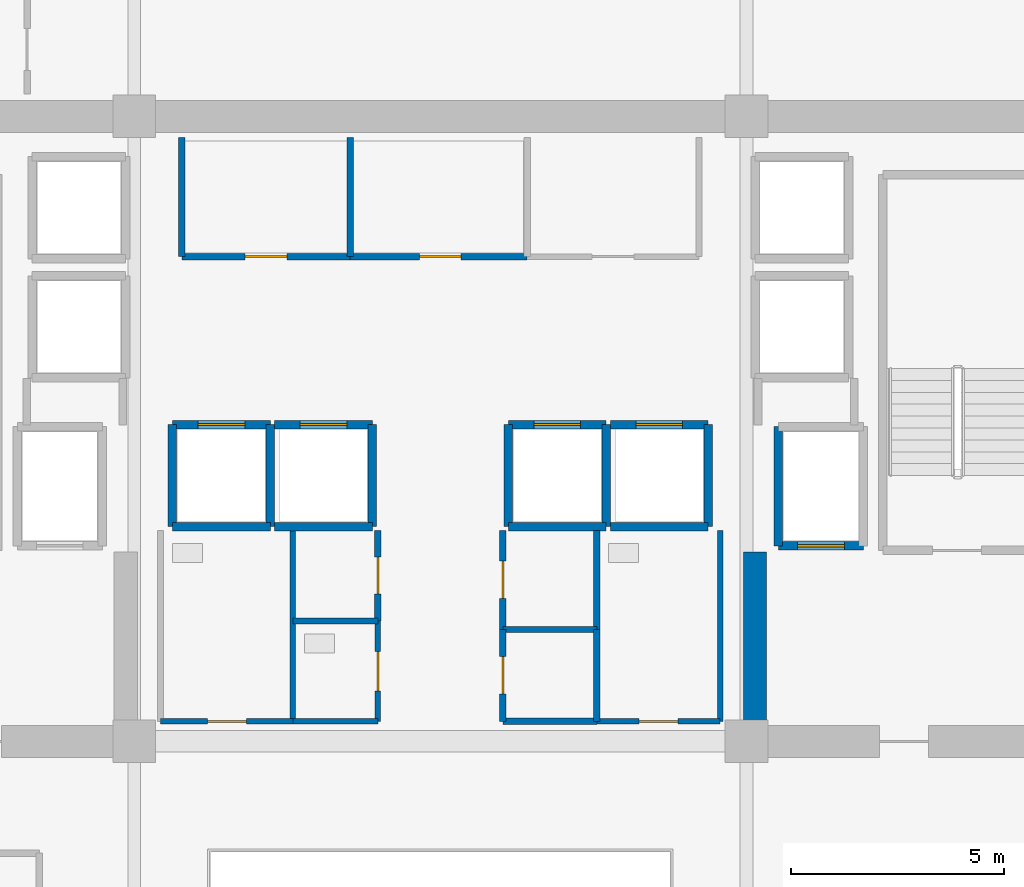
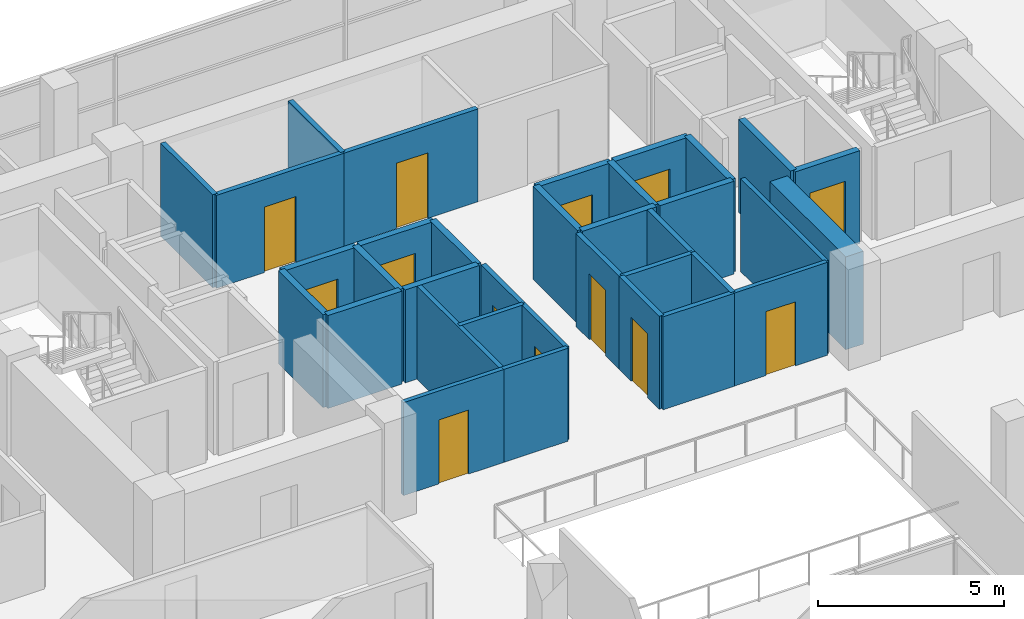
# One storey, part 16 of 22: 35 walls, 13 doors, 13 openings.
"""IFC4 building model written with IfcOpenShell, lengths in metres."""

import ifcopenshell
import ifcopenshell.guid

model = None  # the IFC model being written
_history = None  # IfcOwnerHistory: only IFC2X3 demands one
_inside = {}  # id of a spatial element -> (the spatial element, [elements in it])
_under = {}  # id of a project, library or spatial element -> (it, [spatial elements below it])
_declared = {}  # id of a project -> (the project, [libraries it declares])
_typed = {}  # id of a type object -> (the type object, [elements of that type])
_made_of = {}  # id of a material, layer set ... -> (it, [elements and type objects made of it])


def new_model(schema):
    """Start an empty IFC model of exactly this schema.

    Asked for "IFC4X3", IfcOpenShell would pick the latest addendum, in which some entities
    have other attributes; the version numbers below select the first issue.
    IFC2X3 requires an IfcOwnerHistory on every rooted entity: one is made here for all.
    """
    global model, _history
    if schema == "IFC4X3":
        model = ifcopenshell.file(schema_version=(4, 3, 0, 0))
    else:
        model = ifcopenshell.file(schema=schema)
    _inside.clear()
    _under.clear()
    _declared.clear()
    _typed.clear()
    _made_of.clear()
    _history = None
    if model.schema == "IFC2X3":
        org = make("IfcOrganization", Name="unknown")
        user = make(
            "IfcPersonAndOrganization",
            ThePerson=make("IfcPerson", FamilyName="unknown"),
            TheOrganization=org,
        )
        app = make(
            "IfcApplication",
            ApplicationDeveloper=org,
            Version="unknown",
            ApplicationFullName="unknown",
            ApplicationIdentifier="unknown",
        )
        _history = make(
            "IfcOwnerHistory",
            OwningUser=user,
            OwningApplication=app,
            ChangeAction="ADDED",
            CreationDate=0,
        )
    return model


def make(cls, **values):
    """One entity of the class cls with the attributes given. An attribute that is None is left unset."""
    return model.create_entity(
        cls, **{name: value for name, value in values.items() if value is not None}
    )


def rooted(cls, **values):
    """An entity with a GlobalId (a new one), such as an element, a storey or a relation."""
    return make(cls, GlobalId=ifcopenshell.guid.new(), OwnerHistory=_history, **values)


def si_unit(unit_type, name, prefix=None):
    """IfcSIUnit, for example si_unit("LENGTHUNIT", "METRE", prefix="MILLI")."""
    return make("IfcSIUnit", UnitType=unit_type, Prefix=prefix, Name=name)


def assignment(units):
    """IfcUnitAssignment: the units of a project."""
    return None if units is None else make("IfcUnitAssignment", Units=units)


def point(xyz):
    """IfcCartesianPoint."""
    return None if xyz is None else make("IfcCartesianPoint", Coordinates=xyz)


def direction(xyz):
    """IfcDirection."""
    return None if xyz is None else make("IfcDirection", DirectionRatios=xyz)


def frame(location, z_axis=None, x_axis=None):
    """IfcAxis2Placement3D, a coordinate frame: its origin and axes. An axis left out is left unset."""
    return make(
        "IfcAxis2Placement3D",
        Location=point(location),
        Axis=direction(z_axis),
        RefDirection=direction(x_axis),
    )


def frame_2d(location, x_axis=None):
    """IfcAxis2Placement2D, a coordinate frame in the plane: its origin and x axis."""
    return make(
        "IfcAxis2Placement2D", Location=point(location), RefDirection=direction(x_axis)
    )


def origin():
    """The frame at (0, 0, 0) with its axes left unset."""
    return frame((0.0, 0.0, 0.0))


def place(relative_to, where):
    """IfcLocalPlacement: puts the frame where relative to a parent placement (None: the world)."""
    return make(
        "IfcLocalPlacement", PlacementRelTo=relative_to, RelativePlacement=where
    )


def context(
    kind, dimensions, precision=None, world=None, true_north=None, identifier=None
):
    """IfcGeometricRepresentationContext, for example the 3D "Model" context."""
    return make(
        "IfcGeometricRepresentationContext",
        ContextIdentifier=identifier,
        ContextType=kind,
        CoordinateSpaceDimension=dimensions,
        Precision=precision,
        WorldCoordinateSystem=world,
        TrueNorth=true_north,
    )


def subcontext(parent, identifier, kind, view, scale=None):
    """IfcGeometricRepresentationSubContext, for example "Body" below "Model"."""
    return make(
        "IfcGeometricRepresentationSubContext",
        ContextIdentifier=identifier,
        ContextType=kind,
        ParentContext=parent,
        TargetScale=scale,
        TargetView=view,
    )


def project(units=None, contexts=None):
    """IfcProject with its units and contexts."""
    return rooted(
        "IfcProject",
        Name="project",
        RepresentationContexts=contexts,
        UnitsInContext=assignment(units),
    )


def spatial(cls, under=None, at=None, **own):
    """A site, building, storey or space (cls), placed at a placement, below another one or the project."""
    s = rooted(cls, ObjectPlacement=at, **own)
    if under is not None:
        _under.setdefault(under.id(), (under, []))[1].append(s)
    return s


def profile(cls, at=None, kind="AREA", **sizes):
    """A parametric profile (cls). Its sizes go by their IFC names, for example OverallWidth=200.0."""
    return make(cls, ProfileType=kind, Position=at, **sizes)


def rectangle(**sizes):
    """IfcRectangleProfileDef."""
    return profile("IfcRectangleProfileDef", **sizes)


def extrude(swept, where, along, depth):
    """IfcExtrudedAreaSolid: the profile swept, set in the frame where, extruded along a direction by depth."""
    return make(
        "IfcExtrudedAreaSolid",
        SweptArea=swept,
        Position=where,
        ExtrudedDirection=direction(along),
        Depth=depth,
    )


def shape(context_of_items, identifier, shape_type, items):
    """IfcShapeRepresentation: the items that make up one representation, for example the "Body"."""
    return make(
        "IfcShapeRepresentation",
        ContextOfItems=context_of_items,
        RepresentationIdentifier=identifier,
        RepresentationType=shape_type,
        Items=items,
    )


def source(mapping_origin, context_of_items, identifier, shape_type, items):
    """IfcRepresentationMap: a shape defined once, which mapped items show again and again."""
    return make(
        "IfcRepresentationMap",
        MappingOrigin=mapping_origin,
        MappedRepresentation=shape(context_of_items, identifier, shape_type, items),
    )


def transform(
    local_origin,
    x_axis=None,
    y_axis=None,
    z_axis=None,
    scale=None,
    scale2=None,
    scale3=None,
    uniform=True,
):
    """IfcCartesianTransformationOperator3D, or its non-uniform kind. x_axis, y_axis, z_axis: its Axis1, 2, 3."""
    if uniform:
        return make(
            "IfcCartesianTransformationOperator3D",
            Axis1=direction(x_axis),
            Axis2=direction(y_axis),
            LocalOrigin=point(local_origin),
            Scale=scale,
            Axis3=direction(z_axis),
        )
    return make(
        "IfcCartesianTransformationOperator3DnonUniform",
        Axis1=direction(x_axis),
        Axis2=direction(y_axis),
        LocalOrigin=point(local_origin),
        Scale=scale,
        Axis3=direction(z_axis),
        Scale2=scale2,
        Scale3=scale3,
    )


def mapped(mapping_source, mapping_target):
    """IfcMappedItem: shows the shape of a source again, moved by a transform."""
    return make(
        "IfcMappedItem", MappingSource=mapping_source, MappingTarget=mapping_target
    )


def material(Name=None, Category=None):
    """IfcMaterial."""
    return make("IfcMaterial", Name=Name, Category=Category)


def layer(
    of_material, thickness, ventilated=None, Name=None, Category=None, Priority=None
):
    """IfcMaterialLayer: one layer of a wall or slab, of a material (None: an air gap)."""
    return make(
        "IfcMaterialLayer",
        Material=of_material,
        LayerThickness=thickness,
        IsVentilated=ventilated,
        Name=Name,
        Category=Category,
        Priority=Priority,
    )


def layer_set(layers, Name=None):
    """IfcMaterialLayerSet."""
    return make("IfcMaterialLayerSet", MaterialLayers=layers, LayerSetName=Name)


def made_of(thing, what):
    """Note that an element or type object is made of a material, layer set ...; save() writes the relation."""
    if what is not None:
        _made_of.setdefault(what.id(), (what, []))[1].append(thing)
    return thing


def type_object(cls, material=None, **own):
    """A type object (cls), such as IfcWallType, which elements share."""
    return made_of(rooted(cls, **own), material)


def element(
    cls,
    number,
    at=None,
    inside=None,
    cuts=None,
    type_object=None,
    material=None,
    context=None,
    identifier="Body",
    shape_type=None,
    held_by="IfcProductDefinitionShape",
    body=None,
    shapes=None,
    **own,
):
    """One element of the class cls, such as IfcWall. Its Tag is "e" and its number.

    at: its placement. inside: the storey or other place that contains it. cuts: it is an
    opening in that element (IfcRelVoidsElement). A single representation is given by context,
    identifier, shape_type and body (its items); several are given by shapes. held_by: the class
    of the entity that holds the representations. save() writes the other relations.
    """
    e = rooted(cls, Tag="e%d" % number, ObjectPlacement=at, **own)
    if body is not None:
        shapes = [shape(context, identifier, shape_type, body)]
    if shapes is not None:
        e.Representation = make(held_by, Representations=shapes)
    if inside is not None:
        _inside.setdefault(inside.id(), (inside, []))[1].append(e)
    if cuts is not None:
        rooted(
            "IfcRelVoidsElement", RelatingBuildingElement=cuts, RelatedOpeningElement=e
        )
    if type_object is not None:
        _typed.setdefault(type_object.id(), (type_object, []))[1].append(e)
    return made_of(e, material)


def fill(opening, filler):
    """IfcRelFillsElement: the door or window that sits in an opening."""
    return rooted(
        "IfcRelFillsElement",
        RelatingOpeningElement=opening,
        RelatedBuildingElement=filler,
    )


def aggregate(whole, parts):
    """IfcRelAggregates: a whole, such as a stair, and the parts it consists of."""
    return rooted("IfcRelAggregates", RelatingObject=whole, RelatedObjects=parts)


def save(model, path):
    """Write the relations noted so far, then the file.

    IfcRelAggregates (storeys below a building ...), IfcRelContainedInSpatialStructure (elements
    in a storey), IfcRelDefinesByType, IfcRelAssociatesMaterial and IfcRelDeclares: one each for
    every whole, place, type object, material and project.
    """
    for whole, parts in _under.values():
        aggregate(whole, parts)
    for where, things in _inside.values():
        rooted(
            "IfcRelContainedInSpatialStructure",
            RelatedElements=things,
            RelatingStructure=where,
        )
    for kind, things in _typed.values():
        rooted("IfcRelDefinesByType", RelatedObjects=things, RelatingType=kind)
    for what, things in _made_of.values():
        rooted("IfcRelAssociatesMaterial", RelatedObjects=things, RelatingMaterial=what)
    for by, libraries in _declared.values():
        rooted("IfcRelDeclares", RelatingContext=by, RelatedDefinitions=libraries)
    model.write(path)


model = new_model("IFC4")

# Units and contexts
model_context = context("Model", 3, precision=1e-05, world=origin(), true_north=direction((0.0, 1.0)))
body_context = subcontext(model_context, "Body", "Model", "MODEL_VIEW")
ifc_project = project(units=[si_unit("LENGTHUNIT", "METRE"), si_unit("AREAUNIT", "SQUARE_METRE"), si_unit("VOLUMEUNIT", "CUBIC_METRE"), si_unit("PLANEANGLEUNIT", "RADIAN"), si_unit("MASSUNIT", "GRAM", prefix="KILO")], contexts=[model_context])

# Site, building, storey
site_placement = place(None, origin())
site = spatial("IfcSite", under=ifc_project, at=site_placement, CompositionType="ELEMENT")
building_placement = place(site_placement, origin())
building = spatial("IfcBuilding", under=site, at=building_placement, Name="Zarnakvel Exchange Tower", CompositionType="ELEMENT")
storey_placement = place(building_placement, frame((0.0, 0.0, 195.699951171875)))
storey = spatial("IfcBuildingStorey", under=building, at=storey_placement, Name="L55", CompositionType="ELEMENT", Elevation=195.699951171875)

# Wall
ifc_material_1 = material(Name="Concrete C60/75", Category="concrete")
ifc_layer_1 = layer(ifc_material_1, 0.550048828125)
ifc_layer_set_1 = layer_set([ifc_layer_1], Name="Concrete C60/75")
wall_type_1 = type_object("IfcWallType", Name="CW-C4", PredefinedType="SHEAR", material=ifc_layer_set_1)
wall_1_placement = place(storey_placement, frame((7.39990234375, -0.824951171875, 0.0), z_axis=(0.0, 0.0, 1.0), x_axis=(0.0, 1.0, 0.0)))
element("IfcWall", 1, at=wall_1_placement, inside=storey, type_object=wall_type_1, Name="L55 Rear Core Shear Wall IE (CW-C4)", PredefinedType="SHEAR", context=body_context, shape_type="SweptSolid", body=[
    extrude(rectangle(XDim=4.074951171875, YDim=0.550048828125, at=frame_2d((2.03759765625, 0.0))), origin(), (0.0, 0.0, 1.0), 3.050048828125),
])

# Wall, opening, door
ifc_material_2 = material(Name="Fire-Rated Gypsum Stud Partition", Category="gypsum")
ifc_layer_2 = layer(ifc_material_2, 0.14990234375)
ifc_layer_set_2 = layer_set([ifc_layer_2], Name="Fire-Rated Gypsum Stud Partition")
wall_type_2 = type_object("IfcWallType", Name="PT-01", PredefinedType="PARTITIONING", material=ifc_layer_set_2)
wall_2_placement = place(storey_placement, frame((-2.1201171875, 10.199951171875, 0.0), z_axis=(0.0, 0.0, 1.0), x_axis=(-1.0, 0.0, 0.0)))
wall_2 = element("IfcWall", 2, at=wall_2_placement, inside=storey, type_object=wall_type_2, Name="L55 Partition Wall PWALL-L55-011 (PT-01)", PredefinedType="PARTITIONING", context=body_context, shape_type="SweptSolid", body=[
    extrude(rectangle(XDim=3.9599609375, YDim=0.14990234375, at=frame_2d((1.97998046875, 0.0))), origin(), (0.0, 0.0, 1.0), 3.050048828125),
])
opening_1_placement = place(wall_2_placement, frame((1.489990234375, 0.0, 0.0)))
opening_1 = element("IfcOpeningElement", 3, at=opening_1_placement, cuts=wall_2, Name="Opening D-L55-05", PredefinedType="OPENING", context=body_context, shape_type="SweptSolid", body=[
    extrude(rectangle(XDim=0.97998046875, YDim=2.14990234375, at=frame_2d((0.489990234375, 1.074951171875))), frame((0.0, 0.0849609375, 0.0), z_axis=(0.0, -1.0, 0.0), x_axis=(1.0, 0.0, 0.0)), (0.0, 0.0, 1.0), 0.169921875),
])
ifc_material_3 = material(Name="Timber Acoustic Veneer", Category="wood")
door_type_1 = type_object("IfcDoorType", Name="DT-05", OperationType="NOTDEFINED", PredefinedType="DOOR", material=ifc_material_3)
shared_shape_1 = source(origin(), body_context, "Body", "SweptSolid", [
    extrude(rectangle(XDim=0.97998046875, YDim=2.14990234375, at=frame_2d((0.489990234375, 1.074951171875))), frame((0.0, 0.02490234375, 0.0), z_axis=(0.0, -1.0, 0.0), x_axis=(1.0, 0.0, 0.0)), (0.0, 0.0, 1.0), 0.050048828125),
])
door_1_placement = place(opening_1_placement, origin())
door_1 = element("IfcDoor", 4, at=door_1_placement, inside=storey, type_object=door_type_1, Name="L55 Clearing Records Office Door D-L55-05", OperationType="SINGLE_SWING_RIGHT", OverallHeight=2.14990234375, OverallWidth=0.97998046875, PredefinedType="DOOR", context=body_context, shape_type="MappedRepresentation", body=[
    mapped(shared_shape_1, transform((0.0, 0.0, 0.0), x_axis=(1.0, 0.0, 0.0), y_axis=(0.0, 1.0, 0.0), z_axis=(0.0, 0.0, 1.0), scale=1.0)),
])
fill(opening_1, door_1)

# Walls
for number, where, z_axis, x_axis, name in (
    (5, (-6.080078125, 10.199951171875, 0.0), (0.0, 0.0, 1.0), (0.0, 1.0, 0.0), "L55 Partition Wall PWALL-L55-012 (PT-01)"),
    (6, (-2.1201171875, 13.0, 0.0), (0.0, 0.0, 1.0), (0.0, -1.0, 0.0), "L55 Partition Wall PWALL-L55-013 (PT-01)"),
):
    element("IfcWall", number, at=place(storey_placement, frame(where, z_axis=z_axis, x_axis=x_axis)), inside=storey, type_object=wall_type_2, Name=name, PredefinedType="PARTITIONING", context=body_context, shape_type="SweptSolid", body=[
        extrude(rectangle(XDim=2.800048828125, YDim=0.14990234375, at=frame_2d((1.39990234375, 0.0))), origin(), (0.0, 0.0, 1.0), 3.050048828125),
    ])

# Wall, opening, door
wall_3_placement = place(storey_placement, frame((2.0400390625, 10.199951171875, 0.0), z_axis=(0.0, 0.0, 1.0), x_axis=(-1.0, 0.0, 0.0)))
wall_3 = element("IfcWall", 7, at=wall_3_placement, inside=storey, type_object=wall_type_2, Name="L55 Partition Wall PWALL-L55-014 (PT-01)", PredefinedType="PARTITIONING", context=body_context, shape_type="SweptSolid", body=[
    extrude(rectangle(XDim=4.16015625, YDim=0.14990234375, at=frame_2d((2.080078125, 0.0))), origin(), (0.0, 0.0, 1.0), 3.050048828125),
])
opening_2_placement = place(wall_3_placement, frame((1.550048828125, 0.0, 0.0)))
opening_2 = element("IfcOpeningElement", 8, at=opening_2_placement, cuts=wall_3, Name="Opening D-L55-06", PredefinedType="OPENING", context=body_context, shape_type="SweptSolid", body=[
    extrude(rectangle(XDim=0.97998046875, YDim=2.14990234375, at=frame_2d((0.489990234375, 1.074951171875))), frame((0.0, 0.0849609375, 0.0), z_axis=(0.0, -1.0, 0.0), x_axis=(1.0, 0.0, 0.0)), (0.0, 0.0, 1.0), 0.169921875),
])
door_2_placement = place(opening_2_placement, origin())
door_2 = element("IfcDoor", 9, at=door_2_placement, inside=storey, type_object=door_type_1, Name="L55 Brokerage Filing Room Door D-L55-06", OperationType="SINGLE_SWING_LEFT", OverallHeight=2.14990234375, OverallWidth=0.97998046875, PredefinedType="DOOR", context=body_context, shape_type="MappedRepresentation", body=[
    mapped(shared_shape_1, transform((0.0, 0.0, 0.0), x_axis=(1.0, 0.0, 0.0), y_axis=(0.0, 1.0, 0.0), z_axis=(0.0, 0.0, 1.0), scale=1.0)),
])
fill(opening_2, door_2)

wall_4_placement = place(storey_placement, frame((-1.469970703125, 3.760009765625, 0.0), z_axis=(0.0, 0.0, 1.0), x_axis=(0.0, -1.0, 0.0)))
wall_4 = element("IfcWall", 10, at=wall_4_placement, inside=storey, type_object=wall_type_2, Name="L55 Partition Wall PWALL-L55-024 (PT-01)", PredefinedType="PARTITIONING", context=body_context, shape_type="SweptSolid", body=[
    extrude(rectangle(XDim=2.130126953125, YDim=0.14990234375, at=frame_2d((1.06494140625, 0.0))), origin(), (0.0, 0.0, 1.0), 3.050048828125),
])
opening_3_placement = place(wall_4_placement, frame((0.6201171875, 0.0, 0.0)))
opening_3 = element("IfcOpeningElement", 11, at=opening_3_placement, cuts=wall_4, Name="Opening D-L55-10", PredefinedType="OPENING", context=body_context, shape_type="SweptSolid", body=[
    extrude(rectangle(XDim=0.8798828125, YDim=2.10009765625, at=frame_2d((0.43994140625, 1.050048828125))), frame((0.0, 0.0849609375, 0.0), z_axis=(0.0, -1.0, 0.0), x_axis=(1.0, 0.0, 0.0)), (0.0, 0.0, 1.0), 0.169921875),
])
ifc_material_4 = material(Name="Painted Galvanised Steel S355", Category="steel")
door_type_2 = type_object("IfcDoorType", Name="DT-08", OperationType="NOTDEFINED", PredefinedType="DOOR", material=ifc_material_4)
shared_shape_2 = source(origin(), body_context, "Body", "SweptSolid", [
    extrude(rectangle(XDim=0.8798828125, YDim=2.10009765625, at=frame_2d((0.43994140625, 1.050048828125))), frame((0.0, 0.02490234375, 0.0), z_axis=(0.0, -1.0, 0.0), x_axis=(1.0, 0.0, 0.0)), (0.0, 0.0, 1.0), 0.050048828125),
])
door_3_placement = place(opening_3_placement, origin())
door_3 = element("IfcDoor", 12, at=door_3_placement, inside=storey, type_object=door_type_2, Name="L55 Core Comms Room Door D-L55-10", OperationType="SINGLE_SWING_LEFT", OverallHeight=2.10009765625, OverallWidth=0.8798828125, PredefinedType="DOOR", context=body_context, shape_type="MappedRepresentation", body=[
    mapped(shared_shape_2, transform((0.0, 0.0, 0.0), x_axis=(1.0, 0.0, 0.0), y_axis=(0.0, 1.0, 0.0), z_axis=(0.0, 0.0, 1.0), scale=1.0)),
])
fill(opening_3, door_3)

# Walls
for number, where, z_axis, x_axis, name in (
    (13, (3.679931640625, -0.72998046875, 0.0), (0.0, 0.0, 1.0), (-1.0, 0.0, 0.0), "L55 Partition Wall PWALL-L55-025 (PT-01)"),
    (14, (1.469970703125, 1.429931640625, 0.0), (0.0, 0.0, 1.0), (1.0, 0.0, 0.0), "L55 Partition Wall PWALL-L55-026 (PT-01)"),
):
    element("IfcWall", number, at=place(storey_placement, frame(where, z_axis=z_axis, x_axis=x_axis)), inside=storey, type_object=wall_type_2, Name=name, PredefinedType="PARTITIONING", context=body_context, shape_type="SweptSolid", body=[
        extrude(rectangle(XDim=2.2099609375, YDim=0.14990234375, at=frame_2d((1.10498046875, 0.0))), origin(), (0.0, 0.0, 1.0), 3.050048828125),
    ])

# Wall, opening, door
wall_5_placement = place(storey_placement, frame((1.469970703125, -0.72998046875, 0.0), z_axis=(0.0, 0.0, 1.0), x_axis=(0.0, 1.0, 0.0)))
wall_5 = element("IfcWall", 15, at=wall_5_placement, inside=storey, type_object=wall_type_2, Name="L55 Partition Wall PWALL-L55-027 (PT-01)", PredefinedType="PARTITIONING", context=body_context, shape_type="SweptSolid", body=[
    extrude(rectangle(XDim=2.159912109375, YDim=0.14990234375, at=frame_2d((1.080078125, 0.0))), origin(), (0.0, 0.0, 1.0), 3.050048828125),
])
opening_4_placement = place(wall_5_placement, frame((0.639892578125, 0.0, 0.0)))
opening_4 = element("IfcOpeningElement", 16, at=opening_4_placement, cuts=wall_5, Name="Opening D-L55-11", PredefinedType="OPENING", context=body_context, shape_type="SweptSolid", body=[
    extrude(rectangle(XDim=0.8798828125, YDim=2.10009765625, at=frame_2d((0.43994140625, 1.050048828125))), frame((0.0, 0.0849609375, 0.0), z_axis=(0.0, -1.0, 0.0), x_axis=(1.0, 0.0, 0.0)), (0.0, 0.0, 1.0), 0.169921875),
])
door_4_placement = place(opening_4_placement, origin())
door_4 = element("IfcDoor", 17, at=door_4_placement, inside=storey, type_object=door_type_2, Name="L55 Janitor Store Door D-L55-11", OperationType="SINGLE_SWING_RIGHT", OverallHeight=2.10009765625, OverallWidth=0.8798828125, PredefinedType="DOOR", context=body_context, shape_type="MappedRepresentation", body=[
    mapped(shared_shape_2, transform((0.0, 0.0, 0.0), x_axis=(1.0, 0.0, 0.0), y_axis=(0.0, 1.0, 0.0), z_axis=(0.0, 0.0, 1.0), scale=1.0)),
])
fill(opening_4, door_4)

# Wall
wall_6_placement = place(storey_placement, frame((3.679931640625, 1.429931640625, 0.0), z_axis=(0.0, 0.0, 1.0), x_axis=(0.0, -1.0, 0.0)))
element("IfcWall", 18, at=wall_6_placement, inside=storey, type_object=wall_type_2, Name="L55 Partition Wall PWALL-L55-028 (PT-01)", PredefinedType="PARTITIONING", context=body_context, shape_type="SweptSolid", body=[
    extrude(rectangle(XDim=2.159912109375, YDim=0.14990234375, at=frame_2d((1.080078125, 0.0))), origin(), (0.0, 0.0, 1.0), 3.050048828125),
])

# Wall, opening, door
wall_7_placement = place(storey_placement, frame((1.469970703125, 1.429931640625, 0.0), z_axis=(0.0, 0.0, 1.0), x_axis=(0.0, 1.0, 0.0)))
wall_7 = element("IfcWall", 19, at=wall_7_placement, inside=storey, type_object=wall_type_2, Name="L55 Partition Wall PWALL-L55-029 (PT-01)", PredefinedType="PARTITIONING", context=body_context, shape_type="SweptSolid", body=[
    extrude(rectangle(XDim=2.330078125, YDim=0.14990234375, at=frame_2d((1.1650390625, 0.0))), origin(), (0.0, 0.0, 1.0), 3.050048828125),
])
opening_5_placement = place(wall_7_placement, frame((0.72998046875, 0.0, 0.0)))
opening_5 = element("IfcOpeningElement", 20, at=opening_5_placement, cuts=wall_7, Name="Opening D-L55-12", PredefinedType="OPENING", context=body_context, shape_type="SweptSolid", body=[
    extrude(rectangle(XDim=0.8798828125, YDim=2.14990234375, at=frame_2d((0.43994140625, 1.074951171875))), frame((0.0, 0.0849609375, 0.0), z_axis=(0.0, -1.0, 0.0), x_axis=(1.0, 0.0, 0.0)), (0.0, 0.0, 1.0), 0.169921875),
])
shared_shape_3 = source(origin(), body_context, "Body", "SweptSolid", [
    extrude(rectangle(XDim=0.8798828125, YDim=2.14990234375, at=frame_2d((0.43994140625, 1.074951171875))), frame((0.0, 0.02490234375, 0.0), z_axis=(0.0, -1.0, 0.0), x_axis=(1.0, 0.0, 0.0)), (0.0, 0.0, 1.0), 0.050048828125),
])
door_5_placement = place(opening_5_placement, origin())
door_5 = element("IfcDoor", 21, at=door_5_placement, inside=storey, type_object=door_type_1, Name="L55 Stationery Store Door D-L55-12", OperationType="SINGLE_SWING_LEFT", OverallHeight=2.14990234375, OverallWidth=0.8798828125, PredefinedType="DOOR", context=body_context, shape_type="MappedRepresentation", body=[
    mapped(shared_shape_3, transform((0.0, 0.0, 0.0), x_axis=(1.0, 0.0, 0.0), y_axis=(0.0, 1.0, 0.0), z_axis=(0.0, 0.0, 1.0), scale=1.0)),
])
fill(opening_5, door_5)

# Wall
wall_8_placement = place(storey_placement, frame((3.679931640625, 3.760009765625, 0.0), z_axis=(0.0, 0.0, 1.0), x_axis=(0.0, -1.0, 0.0)))
element("IfcWall", 22, at=wall_8_placement, inside=storey, type_object=wall_type_2, Name="L55 Partition Wall PWALL-L55-030 (PT-01)", PredefinedType="PARTITIONING", context=body_context, shape_type="SweptSolid", body=[
    extrude(rectangle(XDim=2.330078125, YDim=0.14990234375, at=frame_2d((1.1650390625, 0.0))), origin(), (0.0, 0.0, 1.0), 3.050048828125),
])

# Wall, opening, door
ifc_material_5 = material(Name="Moisture-Resistant Tile-Faced Partition", Category="gypsum")
ifc_layer_3 = layer(ifc_material_5, 0.135009765625)
ifc_layer_set_3 = layer_set([ifc_layer_3], Name="Moisture-Resistant Tile-Faced Partition")
wall_type_3 = type_object("IfcWallType", Name="PT-03", PredefinedType="PARTITIONING", material=ifc_layer_set_3)
wall_9_placement = place(storey_placement, frame((-3.469970703125, -0.72998046875, 0.0), z_axis=(0.0, 0.0, 1.0), x_axis=(-1.0, 0.0, 0.0)))
wall_9 = element("IfcWall", 23, at=wall_9_placement, inside=storey, type_object=wall_type_3, Name="L55 Partition Wall PWALL-L55-018 (PT-03)", PredefinedType="PARTITIONING", context=body_context, shape_type="SweptSolid", body=[
    extrude(rectangle(XDim=3.110107421875, YDim=0.135009765625, at=frame_2d((1.55517578125, 0.0))), origin(), (0.0, 0.0, 1.0), 3.050048828125),
])
opening_6_placement = place(wall_9_placement, frame((1.090087890625, 0.0, 0.0)))
opening_6 = element("IfcOpeningElement", 24, at=opening_6_placement, cuts=wall_9, Name="Opening D-L55-08", PredefinedType="OPENING", context=body_context, shape_type="SweptSolid", body=[
    extrude(rectangle(XDim=0.919921875, YDim=2.10009765625, at=frame_2d((0.4599609375, 1.050048828125))), frame((0.0, 0.077392578125, 0.0), z_axis=(0.0, -1.0, 0.0), x_axis=(1.0, 0.0, 0.0)), (0.0, 0.0, 1.0), 0.155029296875),
])
ifc_material_6 = material(Name="Moisture-Resistant Laminate Timber", Category="wood")
door_type_3 = type_object("IfcDoorType", Name="DT-07", OperationType="NOTDEFINED", PredefinedType="DOOR", material=ifc_material_6)
shared_shape_4 = source(origin(), body_context, "Body", "SweptSolid", [
    extrude(rectangle(XDim=0.919921875, YDim=2.10009765625, at=frame_2d((0.4599609375, 1.050048828125))), frame((0.0, 0.02490234375, 0.0), z_axis=(0.0, -1.0, 0.0), x_axis=(1.0, 0.0, 0.0)), (0.0, 0.0, 1.0), 0.050048828125),
])
door_6_placement = place(opening_6_placement, origin())
door_6 = element("IfcDoor", 25, at=door_6_placement, inside=storey, type_object=door_type_3, Name="L55 Male Toilet Door D-L55-08", OperationType="SINGLE_SWING_LEFT", OverallHeight=2.10009765625, OverallWidth=0.919921875, PredefinedType="DOOR", context=body_context, shape_type="MappedRepresentation", body=[
    mapped(shared_shape_4, transform((0.0, 0.0, 0.0), x_axis=(1.0, 0.0, 0.0), y_axis=(0.0, 1.0, 0.0), z_axis=(0.0, 0.0, 1.0), scale=1.0)),
])
fill(opening_6, door_6)

# Walls
wall_10_placement = place(storey_placement, frame((-3.469970703125, 3.760009765625, 0.0), z_axis=(0.0, 0.0, 1.0), x_axis=(0.0, -1.0, 0.0)))
element("IfcWall", 26, at=wall_10_placement, inside=storey, type_object=wall_type_3, Name="L55 Partition Wall PWALL-L55-020 (PT-03)", PredefinedType="PARTITIONING", context=body_context, shape_type="SweptSolid", body=[
    extrude(rectangle(XDim=4.489990234375, YDim=0.135009765625, at=frame_2d((2.2451171875, 0.0))), origin(), (0.0, 0.0, 1.0), 3.050048828125),
])
for number, where, z_axis, x_axis, name in (
    (27, (-1.469970703125, -0.72998046875, 0.0), (0.0, 0.0, 1.0), (-1.0, 0.0, 0.0), "L55 Partition Wall PWALL-L55-021 (PT-03)"),
    (28, (-3.469970703125, 1.6298828125, 0.0), (0.0, 0.0, 1.0), (1.0, 0.0, 0.0), "L55 Partition Wall PWALL-L55-022 (PT-03)"),
):
    element("IfcWall", number, at=place(storey_placement, frame(where, z_axis=z_axis, x_axis=x_axis)), inside=storey, type_object=wall_type_3, Name=name, PredefinedType="PARTITIONING", context=body_context, shape_type="SweptSolid", body=[
        extrude(rectangle(XDim=2.0, YDim=0.135009765625, at=frame_2d((1.0, 0.0))), origin(), (0.0, 0.0, 1.0), 3.050048828125),
    ])

# Wall, opening, door
wall_11_placement = place(storey_placement, frame((-1.469970703125, 1.6298828125, 0.0), z_axis=(0.0, 0.0, 1.0), x_axis=(0.0, -1.0, 0.0)))
wall_11 = element("IfcWall", 29, at=wall_11_placement, inside=storey, type_object=wall_type_3, Name="L55 Partition Wall PWALL-L55-023 (PT-03)", PredefinedType="PARTITIONING", context=body_context, shape_type="SweptSolid", body=[
    extrude(rectangle(XDim=2.35986328125, YDim=0.135009765625, at=frame_2d((1.179931640625, 0.0))), origin(), (0.0, 0.0, 1.0), 3.050048828125),
])
opening_7_placement = place(wall_11_placement, frame((0.719970703125, 0.0, 0.0)))
opening_7 = element("IfcOpeningElement", 30, at=opening_7_placement, cuts=wall_11, Name="Opening D-L55-09", PredefinedType="OPENING", context=body_context, shape_type="SweptSolid", body=[
    extrude(rectangle(XDim=0.919921875, YDim=2.10009765625, at=frame_2d((0.4599609375, 1.050048828125))), frame((0.0, 0.077392578125, 0.0), z_axis=(0.0, -1.0, 0.0), x_axis=(1.0, 0.0, 0.0)), (0.0, 0.0, 1.0), 0.155029296875),
])
door_7_placement = place(opening_7_placement, origin())
door_7 = element("IfcDoor", 31, at=door_7_placement, inside=storey, type_object=door_type_3, Name="L55 Accessible Toilet Door D-L55-09", OperationType="SINGLE_SWING_RIGHT", OverallHeight=2.10009765625, OverallWidth=0.919921875, PredefinedType="DOOR", context=body_context, shape_type="MappedRepresentation", body=[
    mapped(shared_shape_4, transform((0.0, 0.0, 0.0), x_axis=(1.0, 0.0, 0.0), y_axis=(0.0, 1.0, 0.0), z_axis=(0.0, 0.0, 1.0), scale=1.0)),
])
fill(opening_7, door_7)

wall_12_placement = place(storey_placement, frame((6.580078125, -0.72998046875, 0.0), z_axis=(0.0, 0.0, 1.0), x_axis=(-1.0, 0.0, 0.0)))
wall_12 = element("IfcWall", 32, at=wall_12_placement, inside=storey, type_object=wall_type_3, Name="L55 Partition Wall PWALL-L55-031 (PT-03)", PredefinedType="PARTITIONING", context=body_context, shape_type="SweptSolid", body=[
    extrude(rectangle(XDim=2.900146484375, YDim=0.135009765625, at=frame_2d((1.4501953125, 0.0))), origin(), (0.0, 0.0, 1.0), 3.050048828125),
])
opening_8_placement = place(wall_12_placement, frame((0.989990234375, 0.0, 0.0)))
opening_8 = element("IfcOpeningElement", 33, at=opening_8_placement, cuts=wall_12, Name="Opening D-L55-13", PredefinedType="OPENING", context=body_context, shape_type="SweptSolid", body=[
    extrude(rectangle(XDim=0.919921875, YDim=2.10009765625, at=frame_2d((0.4599609375, 1.050048828125))), frame((0.0, 0.077392578125, 0.0), z_axis=(0.0, -1.0, 0.0), x_axis=(1.0, 0.0, 0.0)), (0.0, 0.0, 1.0), 0.155029296875),
])
door_8_placement = place(opening_8_placement, origin())
door_8 = element("IfcDoor", 34, at=door_8_placement, inside=storey, type_object=door_type_3, Name="L55 Female Toilet Door D-L55-13", OperationType="SINGLE_SWING_RIGHT", OverallHeight=2.10009765625, OverallWidth=0.919921875, PredefinedType="DOOR", context=body_context, shape_type="MappedRepresentation", body=[
    mapped(shared_shape_4, transform((0.0, 0.0, 0.0), x_axis=(1.0, 0.0, 0.0), y_axis=(0.0, 1.0, 0.0), z_axis=(0.0, 0.0, 1.0), scale=1.0)),
])
fill(opening_8, door_8)

# Wall
wall_13_placement = place(storey_placement, frame((6.580078125, 3.760009765625, 0.0), z_axis=(0.0, 0.0, 1.0), x_axis=(0.0, -1.0, 0.0)))
element("IfcWall", 35, at=wall_13_placement, inside=storey, type_object=wall_type_3, Name="L55 Partition Wall PWALL-L55-032 (PT-03)", PredefinedType="PARTITIONING", context=body_context, shape_type="SweptSolid", body=[
    extrude(rectangle(XDim=4.489990234375, YDim=0.135009765625, at=frame_2d((2.2451171875, 0.0))), origin(), (0.0, 0.0, 1.0), 3.050048828125),
])

# Wall, opening, door
ifc_material_7 = material(Name="Concrete C40/50", Category="concrete")
ifc_layer_4 = layer(ifc_material_7, 0.199951171875)
ifc_layer_set_4 = layer_set([ifc_layer_4], Name="Concrete C40/50")
wall_type_4 = type_object("IfcWallType", Name="SW-01", PredefinedType="SOLIDWALL", material=ifc_layer_set_4)
wall_14_placement = place(storey_placement, frame((9.949951171875, 3.39990234375, 0.0), z_axis=(0.0, 0.0, 1.0), x_axis=(-1.0, 0.0, 0.0)))
wall_14 = element("IfcWall", 36, at=wall_14_placement, inside=storey, type_object=wall_type_4, Name="L55 FL-02 Hoistway Wall South", PredefinedType="SOLIDWALL", context=body_context, shape_type="SweptSolid", body=[
    extrude(rectangle(XDim=2.0, YDim=0.199951171875, at=frame_2d((1.0, 0.0))), origin(), (0.0, 0.0, 1.0), 3.050048828125),
])
opening_9_placement = place(wall_14_placement, frame((0.449951171875, 0.0, 0.0)))
opening_9 = element("IfcOpeningElement", 37, at=opening_9_placement, cuts=wall_14, Name="Opening LD-FL-02-L55", PredefinedType="OPENING", context=body_context, shape_type="SweptSolid", body=[
    extrude(rectangle(XDim=1.10009765625, YDim=2.199951171875, at=frame_2d((0.550048828125, 1.10009765625))), frame((0.0, 0.10986328125, 0.0), z_axis=(0.0, -1.0, 0.0), x_axis=(1.0, 0.0, 0.0)), (0.0, 0.0, 1.0), 0.219970703125),
])
ifc_material_8 = material(Name="Brushed Stainless Steel", Category="steel")
door_type_4 = type_object("IfcDoorType", Name="LDT-01", OperationType="NOTDEFINED", PredefinedType="DOOR", material=ifc_material_8)
shared_shape_5 = source(origin(), body_context, "Body", "SweptSolid", [
    extrude(rectangle(XDim=1.10009765625, YDim=2.199951171875, at=frame_2d((0.550048828125, 1.10009765625))), frame((0.0, 0.02490234375, 0.0), z_axis=(0.0, -1.0, 0.0), x_axis=(1.0, 0.0, 0.0)), (0.0, 0.0, 1.0), 0.050048828125),
])
door_9_placement = place(opening_9_placement, origin())
door_9 = element("IfcDoor", 38, at=door_9_placement, inside=storey, type_object=door_type_4, Name="L55 FL-02 Lift Landing Door LD-FL-02-L55", OperationType="DOUBLE_DOOR_SLIDING", OverallHeight=2.199951171875, OverallWidth=1.10009765625, PredefinedType="DOOR", context=body_context, shape_type="MappedRepresentation", body=[
    mapped(shared_shape_5, transform((0.0, 0.0, 0.0), x_axis=(1.0, 0.0, 0.0), y_axis=(0.0, 1.0, 0.0), z_axis=(0.0, 0.0, 1.0), scale=1.0)),
])
fill(opening_9, door_9)

# Walls
wall_15_placement = place(storey_placement, frame((7.949951171875, 3.39990234375, 0.0), z_axis=(0.0, 0.0, 1.0), x_axis=(0.0, 1.0, 0.0)))
element("IfcWall", 39, at=wall_15_placement, inside=storey, type_object=wall_type_4, Name="L55 FL-02 Hoistway Wall West", PredefinedType="SOLIDWALL", context=body_context, shape_type="SweptSolid", body=[
    extrude(rectangle(XDim=2.800048828125, YDim=0.199951171875, at=frame_2d((1.39990234375, 0.0))), origin(), (0.0, 0.0, 1.0), 3.050048828125),
])
wall_16_placement = place(storey_placement, frame((-4.0, 3.85009765625, 0.0), z_axis=(0.0, 0.0, 1.0), x_axis=(-1.0, 0.0, 0.0)))
element("IfcWall", 40, at=wall_16_placement, inside=storey, type_object=wall_type_4, Name="L55 PL-05 Hoistway Wall South", PredefinedType="SOLIDWALL", context=body_context, shape_type="SweptSolid", body=[
    extrude(rectangle(XDim=2.300048828125, YDim=0.199951171875, at=frame_2d((1.14990234375, 0.0))), origin(), (0.0, 0.0, 1.0), 3.050048828125),
])

# Wall, opening, door
wall_17_placement = place(storey_placement, frame((-6.300048828125, 6.25, 0.0), z_axis=(0.0, 0.0, 1.0), x_axis=(1.0, 0.0, 0.0)))
wall_17 = element("IfcWall", 41, at=wall_17_placement, inside=storey, type_object=wall_type_4, Name="L55 PL-05 Hoistway Wall North", PredefinedType="SOLIDWALL", context=body_context, shape_type="SweptSolid", body=[
    extrude(rectangle(XDim=2.300048828125, YDim=0.199951171875, at=frame_2d((1.14990234375, 0.0))), origin(), (0.0, 0.0, 1.0), 3.050048828125),
])
opening_10_placement = place(wall_17_placement, frame((0.60009765625, 0.0, 0.0)))
opening_10 = element("IfcOpeningElement", 42, at=opening_10_placement, cuts=wall_17, Name="Opening LD-PL-05-L55", PredefinedType="OPENING", context=body_context, shape_type="SweptSolid", body=[
    extrude(rectangle(XDim=1.10009765625, YDim=2.199951171875, at=frame_2d((0.550048828125, 1.10009765625))), frame((0.0, 0.10986328125, 0.0), z_axis=(0.0, -1.0, 0.0), x_axis=(1.0, 0.0, 0.0)), (0.0, 0.0, 1.0), 0.219970703125),
])
ifc_material_9 = material(Name="Architectural Bronze Anodised Aluminium", Category="aluminium")
door_type_5 = type_object("IfcDoorType", Name="LDT-02", OperationType="NOTDEFINED", PredefinedType="DOOR", material=ifc_material_9)
door_10_placement = place(opening_10_placement, origin())
door_10 = element("IfcDoor", 43, at=door_10_placement, inside=storey, type_object=door_type_5, Name="L55 PL-05 Lift Landing Door LD-PL-05-L55", OperationType="DOUBLE_DOOR_SLIDING", OverallHeight=2.199951171875, OverallWidth=1.10009765625, PredefinedType="DOOR", context=body_context, shape_type="MappedRepresentation", body=[
    mapped(shared_shape_5, transform((0.0, 0.0, 0.0), x_axis=(1.0, 0.0, 0.0), y_axis=(0.0, 1.0, 0.0), z_axis=(0.0, 0.0, 1.0), scale=1.0)),
])
fill(opening_10, door_10)

# Walls
for number, where, z_axis, x_axis, name in (
    (44, (-6.300048828125, 3.85009765625, 0.0), (0.0, 0.0, 1.0), (0.0, 1.0, 0.0), "L55 PL-05 Hoistway Wall West"),
    (45, (-4.0, 6.25, 0.0), (0.0, 0.0, 1.0), (0.0, -1.0, 0.0), "L55 PL-05 Hoistway Wall East"),
):
    element("IfcWall", number, at=place(storey_placement, frame(where, z_axis=z_axis, x_axis=x_axis)), inside=storey, type_object=wall_type_4, Name=name, PredefinedType="SOLIDWALL", context=body_context, shape_type="SweptSolid", body=[
        extrude(rectangle(XDim=2.39990234375, YDim=0.199951171875, at=frame_2d((1.199951171875, 0.0))), origin(), (0.0, 0.0, 1.0), 3.050048828125),
    ])
wall_18_placement = place(storey_placement, frame((-1.60009765625, 3.85009765625, 0.0), z_axis=(0.0, 0.0, 1.0), x_axis=(-1.0, 0.0, 0.0)))
element("IfcWall", 46, at=wall_18_placement, inside=storey, type_object=wall_type_4, Name="L55 PL-06 Hoistway Wall South", PredefinedType="SOLIDWALL", context=body_context, shape_type="SweptSolid", body=[
    extrude(rectangle(XDim=2.2998046875, YDim=0.199951171875, at=frame_2d((1.14990234375, 0.0))), origin(), (0.0, 0.0, 1.0), 3.050048828125),
])

# Wall, opening, door
wall_19_placement = place(storey_placement, frame((-3.89990234375, 6.25, 0.0), z_axis=(0.0, 0.0, 1.0), x_axis=(1.0, 0.0, 0.0)))
wall_19 = element("IfcWall", 47, at=wall_19_placement, inside=storey, type_object=wall_type_4, Name="L55 PL-06 Hoistway Wall North", PredefinedType="SOLIDWALL", context=body_context, shape_type="SweptSolid", body=[
    extrude(rectangle(XDim=2.2998046875, YDim=0.199951171875, at=frame_2d((1.14990234375, 0.0))), origin(), (0.0, 0.0, 1.0), 3.050048828125),
])
opening_11_placement = place(wall_19_placement, frame((0.60009765625, 0.0, 0.0)))
opening_11 = element("IfcOpeningElement", 48, at=opening_11_placement, cuts=wall_19, Name="Opening LD-PL-06-L55", PredefinedType="OPENING", context=body_context, shape_type="SweptSolid", body=[
    extrude(rectangle(XDim=1.10009765625, YDim=2.199951171875, at=frame_2d((0.550048828125, 1.10009765625))), frame((0.0, 0.10986328125, 0.0), z_axis=(0.0, -1.0, 0.0), x_axis=(1.0, 0.0, 0.0)), (0.0, 0.0, 1.0), 0.219970703125),
])
door_11_placement = place(opening_11_placement, origin())
door_11 = element("IfcDoor", 49, at=door_11_placement, inside=storey, type_object=door_type_5, Name="L55 PL-06 Lift Landing Door LD-PL-06-L55", OperationType="DOUBLE_DOOR_SLIDING", OverallHeight=2.199951171875, OverallWidth=1.10009765625, PredefinedType="DOOR", context=body_context, shape_type="MappedRepresentation", body=[
    mapped(shared_shape_5, transform((0.0, 0.0, 0.0), x_axis=(1.0, 0.0, 0.0), y_axis=(0.0, 1.0, 0.0), z_axis=(0.0, 0.0, 1.0), scale=1.0)),
])
fill(opening_11, door_11)

# Walls
wall_20_placement = place(storey_placement, frame((-1.60009765625, 6.25, 0.0), z_axis=(0.0, 0.0, 1.0), x_axis=(0.0, -1.0, 0.0)))
element("IfcWall", 50, at=wall_20_placement, inside=storey, type_object=wall_type_4, Name="L55 PL-06 Hoistway Wall East", PredefinedType="SOLIDWALL", context=body_context, shape_type="SweptSolid", body=[
    extrude(rectangle(XDim=2.39990234375, YDim=0.199951171875, at=frame_2d((1.199951171875, 0.0))), origin(), (0.0, 0.0, 1.0), 3.050048828125),
])
wall_21_placement = place(storey_placement, frame((3.89990234375, 3.85009765625, 0.0), z_axis=(0.0, 0.0, 1.0), x_axis=(-1.0, 0.0, 0.0)))
element("IfcWall", 51, at=wall_21_placement, inside=storey, type_object=wall_type_4, Name="L55 PL-07 Hoistway Wall South", PredefinedType="SOLIDWALL", context=body_context, shape_type="SweptSolid", body=[
    extrude(rectangle(XDim=2.2998046875, YDim=0.199951171875, at=frame_2d((1.14990234375, 0.0))), origin(), (0.0, 0.0, 1.0), 3.050048828125),
])

# Wall, opening, door
wall_22_placement = place(storey_placement, frame((1.60009765625, 6.25, 0.0), z_axis=(0.0, 0.0, 1.0), x_axis=(1.0, 0.0, 0.0)))
wall_22 = element("IfcWall", 52, at=wall_22_placement, inside=storey, type_object=wall_type_4, Name="L55 PL-07 Hoistway Wall North", PredefinedType="SOLIDWALL", context=body_context, shape_type="SweptSolid", body=[
    extrude(rectangle(XDim=2.2998046875, YDim=0.199951171875, at=frame_2d((1.14990234375, 0.0))), origin(), (0.0, 0.0, 1.0), 3.050048828125),
])
opening_12_placement = place(wall_22_placement, frame((0.60009765625, 0.0, 0.0)))
opening_12 = element("IfcOpeningElement", 53, at=opening_12_placement, cuts=wall_22, Name="Opening LD-PL-07-L55", PredefinedType="OPENING", context=body_context, shape_type="SweptSolid", body=[
    extrude(rectangle(XDim=1.10009765625, YDim=2.199951171875, at=frame_2d((0.550048828125, 1.10009765625))), frame((0.0, 0.10986328125, 0.0), z_axis=(0.0, -1.0, 0.0), x_axis=(1.0, 0.0, 0.0)), (0.0, 0.0, 1.0), 0.219970703125),
])
door_12_placement = place(opening_12_placement, origin())
door_12 = element("IfcDoor", 54, at=door_12_placement, inside=storey, type_object=door_type_5, Name="L55 PL-07 Lift Landing Door LD-PL-07-L55", OperationType="DOUBLE_DOOR_SLIDING", OverallHeight=2.199951171875, OverallWidth=1.10009765625, PredefinedType="DOOR", context=body_context, shape_type="MappedRepresentation", body=[
    mapped(shared_shape_5, transform((0.0, 0.0, 0.0), x_axis=(1.0, 0.0, 0.0), y_axis=(0.0, 1.0, 0.0), z_axis=(0.0, 0.0, 1.0), scale=1.0)),
])
fill(opening_12, door_12)

# Walls
for number, where, z_axis, x_axis, name in (
    (55, (1.60009765625, 3.85009765625, 0.0), (0.0, 0.0, 1.0), (0.0, 1.0, 0.0), "L55 PL-07 Hoistway Wall West"),
    (56, (3.89990234375, 6.25, 0.0), (0.0, 0.0, 1.0), (0.0, -1.0, 0.0), "L55 PL-07 Hoistway Wall East"),
):
    element("IfcWall", number, at=place(storey_placement, frame(where, z_axis=z_axis, x_axis=x_axis)), inside=storey, type_object=wall_type_4, Name=name, PredefinedType="SOLIDWALL", context=body_context, shape_type="SweptSolid", body=[
        extrude(rectangle(XDim=2.39990234375, YDim=0.199951171875, at=frame_2d((1.199951171875, 0.0))), origin(), (0.0, 0.0, 1.0), 3.050048828125),
    ])
wall_23_placement = place(storey_placement, frame((6.300048828125, 3.85009765625, 0.0), z_axis=(0.0, 0.0, 1.0), x_axis=(-1.0, 0.0, 0.0)))
element("IfcWall", 57, at=wall_23_placement, inside=storey, type_object=wall_type_4, Name="L55 PL-08 Hoistway Wall South", PredefinedType="SOLIDWALL", context=body_context, shape_type="SweptSolid", body=[
    extrude(rectangle(XDim=2.300048828125, YDim=0.199951171875, at=frame_2d((1.14990234375, 0.0))), origin(), (0.0, 0.0, 1.0), 3.050048828125),
])

# Wall, opening, door
wall_24_placement = place(storey_placement, frame((4.0, 6.25, 0.0), z_axis=(0.0, 0.0, 1.0), x_axis=(1.0, 0.0, 0.0)))
wall_24 = element("IfcWall", 58, at=wall_24_placement, inside=storey, type_object=wall_type_4, Name="L55 PL-08 Hoistway Wall North", PredefinedType="SOLIDWALL", context=body_context, shape_type="SweptSolid", body=[
    extrude(rectangle(XDim=2.300048828125, YDim=0.199951171875, at=frame_2d((1.14990234375, 0.0))), origin(), (0.0, 0.0, 1.0), 3.050048828125),
])
opening_13_placement = place(wall_24_placement, frame((0.60009765625, 0.0, 0.0)))
opening_13 = element("IfcOpeningElement", 59, at=opening_13_placement, cuts=wall_24, Name="Opening LD-PL-08-L55", PredefinedType="OPENING", context=body_context, shape_type="SweptSolid", body=[
    extrude(rectangle(XDim=1.10009765625, YDim=2.199951171875, at=frame_2d((0.550048828125, 1.10009765625))), frame((0.0, 0.10986328125, 0.0), z_axis=(0.0, -1.0, 0.0), x_axis=(1.0, 0.0, 0.0)), (0.0, 0.0, 1.0), 0.219970703125),
])
door_13_placement = place(opening_13_placement, origin())
door_13 = element("IfcDoor", 60, at=door_13_placement, inside=storey, type_object=door_type_5, Name="L55 PL-08 Lift Landing Door LD-PL-08-L55", OperationType="DOUBLE_DOOR_SLIDING", OverallHeight=2.199951171875, OverallWidth=1.10009765625, PredefinedType="DOOR", context=body_context, shape_type="MappedRepresentation", body=[
    mapped(shared_shape_5, transform((0.0, 0.0, 0.0), x_axis=(1.0, 0.0, 0.0), y_axis=(0.0, 1.0, 0.0), z_axis=(0.0, 0.0, 1.0), scale=1.0)),
])
fill(opening_13, door_13)

# Wall
wall_25_placement = place(storey_placement, frame((6.300048828125, 6.25, 0.0), z_axis=(0.0, 0.0, 1.0), x_axis=(0.0, -1.0, 0.0)))
element("IfcWall", 61, at=wall_25_placement, inside=storey, type_object=wall_type_4, Name="L55 PL-08 Hoistway Wall East", PredefinedType="SOLIDWALL", context=body_context, shape_type="SweptSolid", body=[
    extrude(rectangle(XDim=2.39990234375, YDim=0.199951171875, at=frame_2d((1.199951171875, 0.0))), origin(), (0.0, 0.0, 1.0), 3.050048828125),
])

save(model, "model.ifc")
